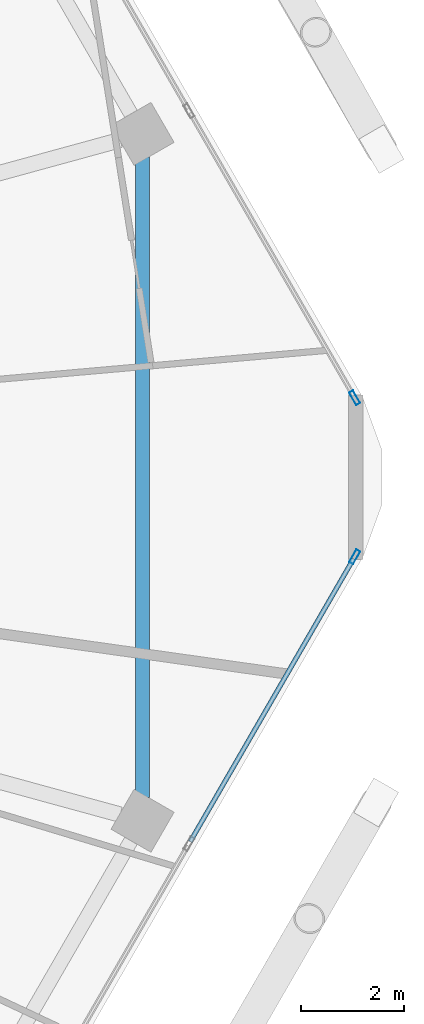
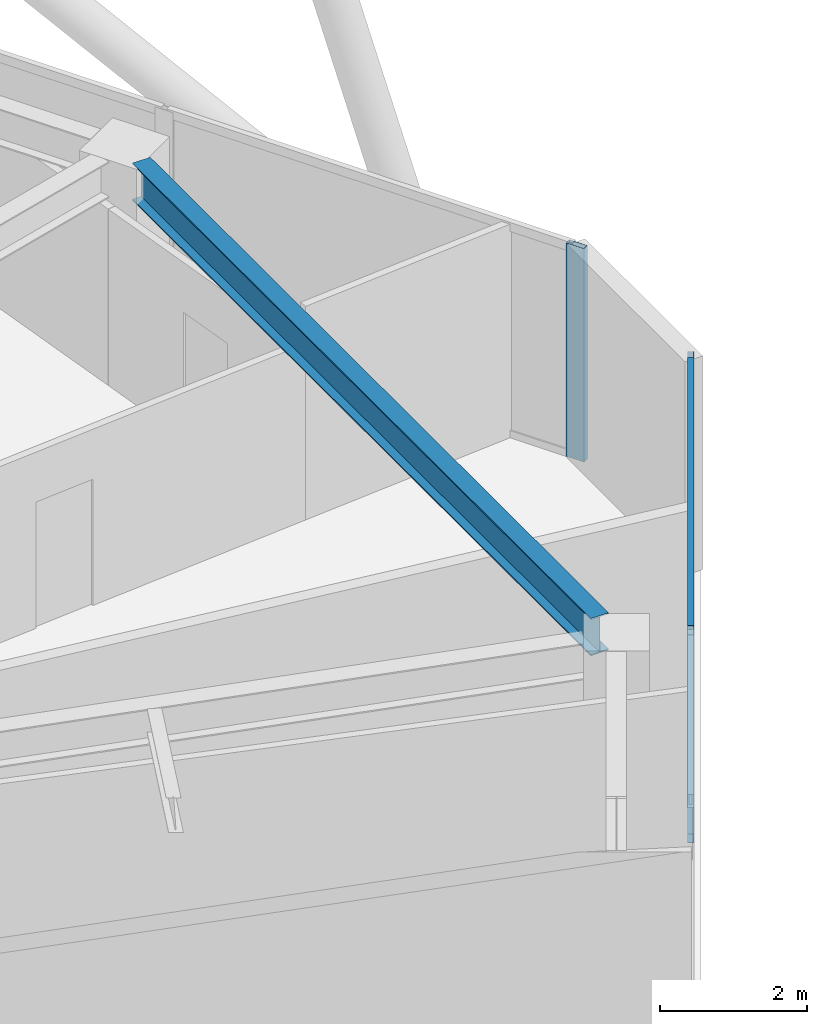
# One storey, part 11 of 26: 4 members, 1 beam, 2 elements without a shape of their own.
"""IFC4 building model written with IfcOpenShell, lengths in metres."""

from ifc_helpers import new_model, si_unit, direction, frame, origin, origin_2d, place, context, subcontext, project, spatial, hollow_rectangle, i_section, extrude, material, material_profile, profile_set, type_object, element, aggregate, save


model = new_model("IFC4")

# Units and contexts
model_context = context("Model", 3, precision=1e-05, world=origin(), true_north=direction((0.0, 1.0)))
body_context = subcontext(model_context, "Body", "Model", "MODEL_VIEW")
ifc_project = project(units=[si_unit("LENGTHUNIT", "METRE"), si_unit("AREAUNIT", "SQUARE_METRE"), si_unit("VOLUMEUNIT", "CUBIC_METRE"), si_unit("PLANEANGLEUNIT", "RADIAN"), si_unit("MASSUNIT", "GRAM", prefix="KILO")], contexts=[model_context])

# Site, building, storey
site_placement = place(None, origin())
site = spatial("IfcSite", under=ifc_project, at=site_placement, CompositionType="ELEMENT")
building_placement = place(site_placement, origin())
building = spatial("IfcBuilding", under=site, at=building_placement, Name="Zuhravey Tower", CompositionType="ELEMENT")
storey_placement = place(building_placement, frame((0.0, 0.0, 231.199951171875)))
storey = spatial("IfcBuildingStorey", under=building, at=storey_placement, Name="L58", CompositionType="ELEMENT", Elevation=231.199951171875)

# Curtain wall, member
ifc_material_1 = material(Name="Thermally broken anodised aluminium", Category="aluminium")
curtain_wall_type = type_object("IfcCurtainWallType", Name="Zone 3-4 High-Rise Curtain Wall CW4", PredefinedType="NOTDEFINED", material=ifc_material_1)
curtain_wall_1_placement = place(storey_placement, origin())
curtain_wall_1 = element("IfcCurtainWall", 1, at=curtain_wall_1_placement, inside=storey, type_object=curtain_wall_type, Name="L58 CW4 CW-L58-F6-1", PredefinedType="NOTDEFINED")
ifc_material_2 = material(Name="Anodised aluminium", Category="aluminium")
ifc_material_profile_1 = material_profile(ifc_material_2, hollow_rectangle(XDim=0.090087890625, YDim=0.284912109375, WallThickness=0.0048828125, at=origin_2d()), Name="ALU-RHS-90x285x5")
ifc_profile_set_1 = profile_set([ifc_material_profile_1], Name="Anodised aluminium")
member_type_1 = type_object("IfcMemberType", Name="Curtain-Wall Mullion 90x180", PredefinedType="MULLION", material=ifc_profile_set_1)
member_1_placement = place(storey_placement, frame((64.62255859375, 30.448486328125, 0.0), z_axis=(0.0, 0.0, 1.0), x_axis=(0.866024851021, -0.500000957414, 0.0)))
member_1 = element("IfcMember", 2, at=member_1_placement, type_object=member_type_1, Name="CW4 mullion 1", PredefinedType="MULLION", context=body_context, shape_type="SweptSolid", body=[
    extrude(hollow_rectangle(XDim=0.090087890625, YDim=0.284912109375, WallThickness=0.0048828125, at=origin_2d()), origin(), (0.0, 0.0, 1.0), 3.550048828125),
])

curtain_wall_2_placement = place(storey_placement, origin())
curtain_wall_2 = element("IfcCurtainWall", 3, at=curtain_wall_2_placement, inside=storey, type_object=curtain_wall_type, Name="L58 CW4 CW-L58-F1-1", PredefinedType="NOTDEFINED")
member_2_placement = place(storey_placement, frame((64.62255859375, 33.551513671875, 0.0), z_axis=(0.0, 0.0, 1.0), x_axis=(0.866024851021, 0.500000957414, 0.0)))
member_2 = element("IfcMember", 4, at=member_2_placement, type_object=member_type_1, Name="CW4 mullion 5", PredefinedType="MULLION", context=body_context, shape_type="SweptSolid", body=[
    extrude(hollow_rectangle(XDim=0.090087890625, YDim=0.284912109375, WallThickness=0.0048828125, at=origin_2d()), origin(), (0.0, 0.0, 1.0), 3.550048828125),
])
aggregate(curtain_wall_2, [member_2])

# Member
ifc_material_profile_2 = material_profile(ifc_material_2, hollow_rectangle(XDim=0.090087890625, YDim=0.14990234375, WallThickness=0.0048828125, at=origin_2d()), Name="ALU-RHS-90x150x5")
ifc_profile_set_2 = profile_set([ifc_material_profile_2], Name="Anodised aluminium")
member_type_2 = type_object("IfcMemberType", Name="Curtain-Wall Transom 90x150", PredefinedType="USERDEFINED", material=ifc_profile_set_2)
member_3_placement = place(storey_placement, frame((64.60009765625, 30.40966796875, 0.045166015625), z_axis=(-0.500008810174, -0.866020317169, 0.0), x_axis=(0.866020317169, -0.500008810174, 0.0)))
member_3 = element("IfcMember", 5, at=member_3_placement, type_object=member_type_2, Name="CW4 transom 1.1", ObjectType="TRANSOM", PredefinedType="USERDEFINED", context=body_context, shape_type="SweptSolid", body=[
    extrude(hollow_rectangle(XDim=0.090087890625, YDim=0.14990234375, WallThickness=0.0048828125, at=origin_2d()), origin(), (0.0, 0.0, 1.0), 6.37158203125),
])

member_4_placement = place(storey_placement, frame((64.60009765625, 30.40966796875, 3.505126953125), z_axis=(-0.500008810174, -0.866020317169, 0.0), x_axis=(0.866020317169, -0.500008810174, 0.0)))
member_4 = element("IfcMember", 6, at=member_4_placement, type_object=member_type_2, Name="CW4 transom 1.2", ObjectType="TRANSOM", PredefinedType="USERDEFINED", context=body_context, shape_type="SweptSolid", body=[
    extrude(hollow_rectangle(XDim=0.090087890625, YDim=0.14990234375, WallThickness=0.0048828125, at=origin_2d()), origin(), (0.0, 0.0, 1.0), 6.37158203125),
])

aggregate(curtain_wall_1, [member_1, member_3, member_4])

# Beam
ifc_material_3 = material(Name="Steel SM355", Category="steel")
ifc_material_profile_3 = material_profile(ifc_material_3, i_section(OverallWidth=0.280029296875, OverallDepth=0.6201171875, WebThickness=0.011962890625, FlangeThickness=0.02001953125, at=origin_2d()), Name="H-620x280x12x20")
ifc_profile_set_3 = profile_set([ifc_material_profile_3], Name="Steel SM355")
beam_type = type_object("IfcBeamType", Name="Perimeter Ring Beam H620x280", PredefinedType="BEAM", material=ifc_profile_set_3)
beam_placement = place(storey_placement, frame((60.484619140625, 25.754150390625, 3.239990234375), z_axis=(0.0, 1.0, 0.0), x_axis=(-1.0, 0.0, 0.0)))
element("IfcBeam", 7, at=beam_placement, inside=storey, type_object=beam_type, Name="L58 PB3 BM-L58-PB-12", PredefinedType="BEAM", context=body_context, shape_type="SweptSolid", body=[
    extrude(i_section(OverallWidth=0.280029296875, OverallDepth=0.6201171875, WebThickness=0.011962890625, FlangeThickness=0.02001953125, at=origin_2d()), origin(), (0.0, 0.0, 1.0), 12.49169921875),
])

save(model, "model.ifc")
